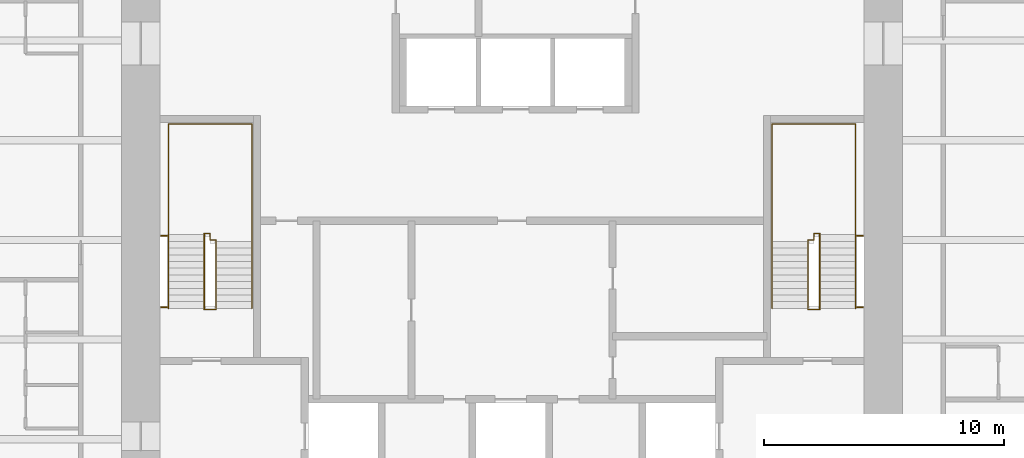
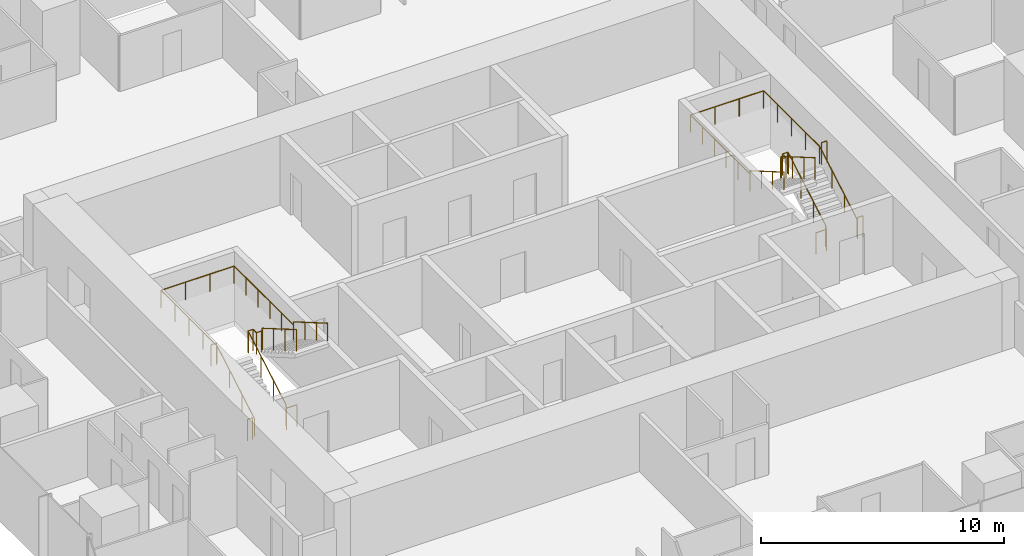
# One storey, part 12 of 12: 8 railings.
"""IFC4 building model written with IfcOpenShell, lengths in metres."""

from ifc_helpers import new_model, si_unit, direction, frame, origin, origin_2d, place, context, subcontext, project, spatial, circle, extrude, material, type_object, element, save


model = new_model("IFC4")

# Units and contexts
model_context = context("Model", 3, precision=1e-05, world=origin(), true_north=direction((0.0, 1.0)))
body_context = subcontext(model_context, "Body", "Model", "MODEL_VIEW")
ifc_project = project(units=[si_unit("LENGTHUNIT", "METRE"), si_unit("AREAUNIT", "SQUARE_METRE"), si_unit("VOLUMEUNIT", "CUBIC_METRE"), si_unit("PLANEANGLEUNIT", "RADIAN"), si_unit("MASSUNIT", "GRAM", prefix="KILO")], contexts=[model_context])

# Site, building, storey
site_placement = place(None, origin())
site = spatial("IfcSite", under=ifc_project, at=site_placement, CompositionType="ELEMENT")
building_placement = place(site_placement, origin())
building = spatial("IfcBuilding", under=site, at=building_placement, Name="Khuree Lantern Residences", CompositionType="ELEMENT")
storey_placement = place(building_placement, frame((0.0, 0.0, 222.0)))
storey = spatial("IfcBuildingStorey", under=building, at=storey_placement, Name="L55", CompositionType="ELEMENT", Elevation=222.0)

# Railings
ifc_material = material(Name="Steel S355", Category="steel")
railing_type_1 = type_object("IfcRailingType", Name="STAIR GUARD G1 1100", PredefinedType="GUARDRAIL", material=ifc_material)
railing_1_placement = place(storey_placement, frame((-12.35009765625, -2.909912109375, 0.0)))
element("IfcRailing", 1, at=railing_1_placement, inside=storey, type_object=railing_type_1, Name="Stair ST1 guard", PredefinedType="GUARDRAIL", context=body_context, shape_type="SweptSolid", body=[
    extrude(circle(Radius=0.02392578125, at=origin_2d()), frame((0.0, 0.0, 1.076171875), z_axis=(-1.0, 0.0, 0.0), x_axis=(0.0, -1.0, 0.0)), (0.0, 0.0, 1.0), 0.5),
    extrude(circle(Radius=0.02392578125, at=origin_2d()), frame((-0.5, 0.0, 1.076171875), z_axis=(0.0, 0.292073035251, 0.95639601739), x_axis=(-1.0, 0.0, 0.0)), (0.0, 0.0, 1.0), 0.17041015625),
    extrude(circle(Radius=0.02392578125, at=origin_2d()), frame((-0.5, 0.0498046875, 1.2392578125), z_axis=(0.0, 0.864176135923, 0.503189433615), x_axis=(-1.0, 0.0, 0.0)), (0.0, 0.0, 1.0), 3.564208984375),
    extrude(circle(Radius=0.02392578125, at=origin_2d()), frame((-0.5, 3.1298828125, 3.03271484375), z_axis=(0.0, 1.0, 0.0), x_axis=(-1.0, 0.0, 0.0)), (0.0, 0.0, 1.0), 0.050048828125),
    extrude(circle(Radius=0.02392578125, at=origin_2d()), frame((-0.5, 3.179931640625, 3.03271484375), z_axis=(1.0, 0.0, 0.0), x_axis=(0.0, 1.0, 0.0)), (0.0, 0.0, 1.0), 0.25),
    extrude(circle(Radius=0.02392578125, at=origin_2d()), frame((-0.25, 3.179931640625, 3.03271484375), z_axis=(0.0, -1.0, 0.0), x_axis=(1.0, 0.0, 0.0)), (0.0, 0.0, 1.0), 0.280029296875),
    extrude(circle(Radius=0.02392578125, at=origin_2d()), frame((-0.25, 2.89990234375, 3.03271484375), z_axis=(1.0, 0.0, 0.0), x_axis=(0.0, 1.0, 0.0)), (0.0, 0.0, 1.0), 0.25),
    extrude(circle(Radius=0.02392578125, at=origin_2d()), frame((0.0, 2.89990234375, 3.03271484375), z_axis=(0.0, -0.293381807449, 0.955995353053), x_axis=(1.0, 0.0, 0.0)), (0.0, 0.0, 1.0), 0.170654296875),
    extrude(circle(Radius=0.02392578125, at=origin_2d()), frame((0.0, 2.849853515625, 3.19580078125), z_axis=(0.0, -0.864180358799, 0.503182181189), x_axis=(1.0, 0.0, 0.0)), (0.0, 0.0, 1.0), 3.240234375),
    extrude(circle(Radius=0.02099609375, at=origin_2d()), origin(), (0.0, 0.0, 1.0), 1.052001953125),
    extrude(circle(Radius=0.02099609375, at=origin_2d()), frame((-0.5, 0.0, 0.0)), (0.0, 0.0, 1.0), 1.052001953125),
    extrude(circle(Radius=0.02099609375, at=origin_2d()), frame((-0.5, 0.0498046875, 0.1630859375)), (0.0, 0.0, 1.0), 1.052001953125),
    extrude(circle(Radius=0.02099609375, at=origin_2d()), frame((-0.5, 1.076416015625, 0.760986328125)), (0.0, 0.0, 1.0), 1.052001953125),
    extrude(circle(Radius=0.02099609375, at=origin_2d()), frame((-0.5, 2.103271484375, 1.358642578125)), (0.0, 0.0, 1.0), 1.052001953125),
    extrude(circle(Radius=0.02099609375, at=origin_2d()), frame((-0.5, 3.1298828125, 1.95654296875)), (0.0, 0.0, 1.0), 1.052001953125),
    extrude(circle(Radius=0.02099609375, at=origin_2d()), frame((-0.5, 3.179931640625, 1.95654296875)), (0.0, 0.0, 1.0), 1.052001953125),
    extrude(circle(Radius=0.02099609375, at=origin_2d()), frame((-0.25, 3.179931640625, 1.95654296875)), (0.0, 0.0, 1.0), 1.052001953125),
    extrude(circle(Radius=0.02099609375, at=origin_2d()), frame((-0.25, 2.89990234375, 1.95654296875)), (0.0, 0.0, 1.0), 1.052001953125),
    extrude(circle(Radius=0.02099609375, at=origin_2d()), frame((0.0, 2.89990234375, 1.95654296875)), (0.0, 0.0, 1.0), 1.052001953125),
    extrude(circle(Radius=0.02099609375, at=origin_2d()), frame((0.0, 2.849853515625, 2.11962890625)), (0.0, 0.0, 1.0), 1.052001953125),
    extrude(circle(Radius=0.02099609375, at=origin_2d()), frame((0.0, 1.91650390625, 2.6630859375)), (0.0, 0.0, 1.0), 1.052001953125),
    extrude(circle(Radius=0.02099609375, at=origin_2d()), frame((0.0, 0.983154296875, 3.20654296875)), (0.0, 0.0, 1.0), 1.052001953125),
    extrude(circle(Radius=0.02099609375, at=origin_2d()), frame((0.0, 0.0498046875, 3.75)), (0.0, 0.0, 1.0), 1.052001953125),
])
for number, where, name in (
    (2, (-14.64990234375, -2.81005859375, 0.0), "Stair ST1 landing slot guard"),
    (3, (-14.64990234375, 0.169921875, 1.95654296875), "Stair ST1 landing slot guard"),
):
    element("IfcRailing", number, at=place(storey_placement, frame(where)), inside=storey, type_object=railing_type_1, Name=name, PredefinedType="GUARDRAIL", context=body_context, shape_type="SweptSolid", body=[
        extrude(circle(Radius=0.02392578125, at=origin_2d()), frame((0.0, 0.0, 1.076171875), z_axis=(1.0, 0.0, 0.0), x_axis=(0.0, 1.0, 0.0)), (0.0, 0.0, 1.0), 0.25),
        extrude(circle(Radius=0.02099609375, at=origin_2d()), origin(), (0.0, 0.0, 1.0), 1.052001953125),
        extrude(circle(Radius=0.02099609375, at=origin_2d()), frame((0.25, 0.0, 0.0)), (0.0, 0.0, 1.0), 1.052001953125),
    ])
railing_2_placement = place(storey_placement, frame((12.35009765625, -2.909912109375, 0.0)))
element("IfcRailing", 4, at=railing_2_placement, inside=storey, type_object=railing_type_1, Name="Stair ST2 guard", PredefinedType="GUARDRAIL", context=body_context, shape_type="SweptSolid", body=[
    extrude(circle(Radius=0.02392578125, at=origin_2d()), frame((0.0, 0.0, 1.076171875), z_axis=(1.0, 0.0, 0.0), x_axis=(0.0, 1.0, 0.0)), (0.0, 0.0, 1.0), 0.5),
    extrude(circle(Radius=0.02392578125, at=origin_2d()), frame((0.5, 0.0, 1.076171875), z_axis=(0.0, 0.292073035251, 0.95639601739), x_axis=(-1.0, 0.0, 0.0)), (0.0, 0.0, 1.0), 0.17041015625),
    extrude(circle(Radius=0.02392578125, at=origin_2d()), frame((0.5, 0.0498046875, 1.2392578125), z_axis=(0.0, 0.864176135923, 0.503189433615), x_axis=(-1.0, 0.0, 0.0)), (0.0, 0.0, 1.0), 3.564208984375),
    extrude(circle(Radius=0.02392578125, at=origin_2d()), frame((0.5, 3.1298828125, 3.03271484375), z_axis=(0.0, 1.0, 0.0), x_axis=(-1.0, 0.0, 0.0)), (0.0, 0.0, 1.0), 0.050048828125),
    extrude(circle(Radius=0.02392578125, at=origin_2d()), frame((0.5, 3.179931640625, 3.03271484375), z_axis=(-1.0, 0.0, 0.0), x_axis=(0.0, -1.0, 0.0)), (0.0, 0.0, 1.0), 0.25),
    extrude(circle(Radius=0.02392578125, at=origin_2d()), frame((0.25, 3.179931640625, 3.03271484375), z_axis=(0.0, -1.0, 0.0), x_axis=(1.0, 0.0, 0.0)), (0.0, 0.0, 1.0), 0.280029296875),
    extrude(circle(Radius=0.02392578125, at=origin_2d()), frame((0.25, 2.89990234375, 3.03271484375), z_axis=(-1.0, 0.0, 0.0), x_axis=(0.0, -1.0, 0.0)), (0.0, 0.0, 1.0), 0.25),
    extrude(circle(Radius=0.02392578125, at=origin_2d()), frame((0.0, 2.89990234375, 3.03271484375), z_axis=(0.0, -0.293381807449, 0.955995353053), x_axis=(1.0, 0.0, 0.0)), (0.0, 0.0, 1.0), 0.170654296875),
    extrude(circle(Radius=0.02392578125, at=origin_2d()), frame((0.0, 2.849853515625, 3.19580078125), z_axis=(0.0, -0.864180358799, 0.503182181189), x_axis=(1.0, 0.0, 0.0)), (0.0, 0.0, 1.0), 3.240234375),
    extrude(circle(Radius=0.02099609375, at=origin_2d()), origin(), (0.0, 0.0, 1.0), 1.052001953125),
    extrude(circle(Radius=0.02099609375, at=origin_2d()), frame((0.5, 0.0, 0.0)), (0.0, 0.0, 1.0), 1.052001953125),
    extrude(circle(Radius=0.02099609375, at=origin_2d()), frame((0.5, 0.0498046875, 0.1630859375)), (0.0, 0.0, 1.0), 1.052001953125),
    extrude(circle(Radius=0.02099609375, at=origin_2d()), frame((0.5, 1.076416015625, 0.760986328125)), (0.0, 0.0, 1.0), 1.052001953125),
    extrude(circle(Radius=0.02099609375, at=origin_2d()), frame((0.5, 2.103271484375, 1.358642578125)), (0.0, 0.0, 1.0), 1.052001953125),
    extrude(circle(Radius=0.02099609375, at=origin_2d()), frame((0.5, 3.1298828125, 1.95654296875)), (0.0, 0.0, 1.0), 1.052001953125),
    extrude(circle(Radius=0.02099609375, at=origin_2d()), frame((0.5, 3.179931640625, 1.95654296875)), (0.0, 0.0, 1.0), 1.052001953125),
    extrude(circle(Radius=0.02099609375, at=origin_2d()), frame((0.25, 3.179931640625, 1.95654296875)), (0.0, 0.0, 1.0), 1.052001953125),
    extrude(circle(Radius=0.02099609375, at=origin_2d()), frame((0.25, 2.89990234375, 1.95654296875)), (0.0, 0.0, 1.0), 1.052001953125),
    extrude(circle(Radius=0.02099609375, at=origin_2d()), frame((0.0, 2.89990234375, 1.95654296875)), (0.0, 0.0, 1.0), 1.052001953125),
    extrude(circle(Radius=0.02099609375, at=origin_2d()), frame((0.0, 2.849853515625, 2.11962890625)), (0.0, 0.0, 1.0), 1.052001953125),
    extrude(circle(Radius=0.02099609375, at=origin_2d()), frame((0.0, 1.91650390625, 2.6630859375)), (0.0, 0.0, 1.0), 1.052001953125),
    extrude(circle(Radius=0.02099609375, at=origin_2d()), frame((0.0, 0.983154296875, 3.20654296875)), (0.0, 0.0, 1.0), 1.052001953125),
    extrude(circle(Radius=0.02099609375, at=origin_2d()), frame((0.0, 0.0498046875, 3.75)), (0.0, 0.0, 1.0), 1.052001953125),
])
for number, where, name in (
    (5, (14.64990234375, -2.81005859375, 0.0), "Stair ST2 landing slot guard"),
    (6, (14.64990234375, 0.169921875, 1.95654296875), "Stair ST2 landing slot guard"),
):
    element("IfcRailing", number, at=place(storey_placement, frame(where)), inside=storey, type_object=railing_type_1, Name=name, PredefinedType="GUARDRAIL", context=body_context, shape_type="SweptSolid", body=[
        extrude(circle(Radius=0.02392578125, at=origin_2d()), frame((0.0, 0.0, 1.076171875), z_axis=(-1.0, 0.0, 0.0), x_axis=(0.0, -1.0, 0.0)), (0.0, 0.0, 1.0), 0.25),
        extrude(circle(Radius=0.02099609375, at=origin_2d()), origin(), (0.0, 0.0, 1.0), 1.052001953125),
        extrude(circle(Radius=0.02099609375, at=origin_2d()), frame((-0.25, 0.0, 0.0)), (0.0, 0.0, 1.0), 1.052001953125),
    ])
railing_type_2 = type_object("IfcRailingType", Name="STAIR HANDRAIL H1 900", PredefinedType="HANDRAIL", material=ifc_material)
railing_3_placement = place(storey_placement, frame((-14.340087890625, -2.860107421875, 0.1630859375)))
element("IfcRailing", 7, at=railing_3_placement, inside=storey, type_object=railing_type_2, Name="Stair ST1 handrail", PredefinedType="HANDRAIL", context=body_context, shape_type="SweptSolid", body=[
    extrude(circle(Radius=0.02392578125, at=origin_2d()), frame((0.0, 0.0, 0.8759765625), z_axis=(0.0, 0.864176135923, 0.503189433615), x_axis=(-1.0, 0.0, 0.0)), (0.0, 0.0, 1.0), 3.564208984375),
    extrude(circle(Radius=0.02392578125, at=origin_2d()), frame((0.0, 3.080078125, 2.66943359375), z_axis=(0.0, 1.0, 0.0), x_axis=(-1.0, 0.0, 0.0)), (0.0, 0.0, 1.0), 4.6201171875),
    extrude(circle(Radius=0.02392578125, at=origin_2d()), frame((0.0, 7.7001953125, 2.66943359375), z_axis=(1.0, 0.0, 0.0), x_axis=(0.0, 1.0, 0.0)), (0.0, 0.0, 1.0), 3.47998046875),
    extrude(circle(Radius=0.02392578125, at=origin_2d()), frame((3.47998046875, 7.7001953125, 2.66943359375), z_axis=(0.0, -1.0, 0.0), x_axis=(1.0, 0.0, 0.0)), (0.0, 0.0, 1.0), 4.900146484375),
    extrude(circle(Radius=0.02392578125, at=origin_2d()), frame((3.47998046875, 2.800048828125, 2.66943359375), z_axis=(0.0, 0.0, 1.0), x_axis=(1.0, 0.0, 0.0)), (0.0, 0.0, 1.0), 0.1630859375),
    extrude(circle(Radius=0.02392578125, at=origin_2d()), frame((3.47998046875, 2.800048828125, 2.83251953125), z_axis=(0.0, -0.864180358799, 0.503182181189), x_axis=(1.0, 0.0, 0.0)), (0.0, 0.0, 1.0), 3.240234375),
    extrude(circle(Radius=0.02099609375, at=origin_2d()), origin(), (0.0, 0.0, 1.0), 0.851806640625),
    extrude(circle(Radius=0.02099609375, at=origin_2d()), frame((0.0, 1.026611328125, 0.597900390625)), (0.0, 0.0, 1.0), 0.851806640625),
    extrude(circle(Radius=0.02099609375, at=origin_2d()), frame((0.0, 2.053466796875, 1.195556640625)), (0.0, 0.0, 1.0), 0.851806640625),
    extrude(circle(Radius=0.02099609375, at=origin_2d()), frame((0.0, 3.080078125, 1.79345703125)), (0.0, 0.0, 1.0), 0.851806640625),
    extrude(circle(Radius=0.02099609375, at=origin_2d()), frame((0.0, 4.235107421875, 1.79345703125)), (0.0, 0.0, 1.0), 0.851806640625),
    extrude(circle(Radius=0.02099609375, at=origin_2d()), frame((0.0, 5.39013671875, 1.79345703125)), (0.0, 0.0, 1.0), 0.851806640625),
    extrude(circle(Radius=0.02099609375, at=origin_2d()), frame((0.0, 6.545166015625, 1.79345703125)), (0.0, 0.0, 1.0), 0.851806640625),
    extrude(circle(Radius=0.02099609375, at=origin_2d()), frame((0.0, 7.7001953125, 1.79345703125)), (0.0, 0.0, 1.0), 0.851806640625),
    extrude(circle(Radius=0.02099609375, at=origin_2d()), frame((1.159912109375, 7.7001953125, 1.79345703125)), (0.0, 0.0, 1.0), 0.851806640625),
    extrude(circle(Radius=0.02099609375, at=origin_2d()), frame((2.320068359375, 7.7001953125, 1.79345703125)), (0.0, 0.0, 1.0), 0.851806640625),
    extrude(circle(Radius=0.02099609375, at=origin_2d()), frame((3.47998046875, 7.7001953125, 1.79345703125)), (0.0, 0.0, 1.0), 0.851806640625),
    extrude(circle(Radius=0.02099609375, at=origin_2d()), frame((3.47998046875, 6.72021484375, 1.79345703125)), (0.0, 0.0, 1.0), 0.851806640625),
    extrude(circle(Radius=0.02099609375, at=origin_2d()), frame((3.47998046875, 5.740234375, 1.79345703125)), (0.0, 0.0, 1.0), 0.851806640625),
    extrude(circle(Radius=0.02099609375, at=origin_2d()), frame((3.47998046875, 4.760009765625, 1.79345703125)), (0.0, 0.0, 1.0), 0.851806640625),
    extrude(circle(Radius=0.02099609375, at=origin_2d()), frame((3.47998046875, 3.780029296875, 1.79345703125)), (0.0, 0.0, 1.0), 0.851806640625),
    extrude(circle(Radius=0.02099609375, at=origin_2d()), frame((3.47998046875, 2.800048828125, 1.79345703125)), (0.0, 0.0, 1.0), 0.851806640625),
    extrude(circle(Radius=0.02099609375, at=origin_2d()), frame((3.47998046875, 2.800048828125, 1.95654296875)), (0.0, 0.0, 1.0), 0.851806640625),
    extrude(circle(Radius=0.02099609375, at=origin_2d()), frame((3.47998046875, 1.86669921875, 2.5)), (0.0, 0.0, 1.0), 0.851806640625),
    extrude(circle(Radius=0.02099609375, at=origin_2d()), frame((3.47998046875, 0.933349609375, 3.04345703125)), (0.0, 0.0, 1.0), 0.851806640625),
    extrude(circle(Radius=0.02099609375, at=origin_2d()), frame((3.47998046875, 0.0, 3.5869140625)), (0.0, 0.0, 1.0), 0.851806640625),
])
railing_4_placement = place(storey_placement, frame((14.340087890625, -2.860107421875, 0.1630859375)))
element("IfcRailing", 8, at=railing_4_placement, inside=storey, type_object=railing_type_2, Name="Stair ST2 handrail", PredefinedType="HANDRAIL", context=body_context, shape_type="SweptSolid", body=[
    extrude(circle(Radius=0.02392578125, at=origin_2d()), frame((0.0, 0.0, 0.8759765625), z_axis=(0.0, 0.864176135923, 0.503189433615), x_axis=(-1.0, 0.0, 0.0)), (0.0, 0.0, 1.0), 3.564208984375),
    extrude(circle(Radius=0.02392578125, at=origin_2d()), frame((0.0, 3.080078125, 2.66943359375), z_axis=(0.0, 1.0, 0.0), x_axis=(-1.0, 0.0, 0.0)), (0.0, 0.0, 1.0), 4.6201171875),
    extrude(circle(Radius=0.02392578125, at=origin_2d()), frame((0.0, 7.7001953125, 2.66943359375), z_axis=(-1.0, 0.0, 0.0), x_axis=(0.0, -1.0, 0.0)), (0.0, 0.0, 1.0), 3.47998046875),
    extrude(circle(Radius=0.02392578125, at=origin_2d()), frame((-3.47998046875, 7.7001953125, 2.66943359375), z_axis=(0.0, -1.0, 0.0), x_axis=(1.0, 0.0, 0.0)), (0.0, 0.0, 1.0), 4.900146484375),
    extrude(circle(Radius=0.02392578125, at=origin_2d()), frame((-3.47998046875, 2.800048828125, 2.66943359375), z_axis=(0.0, 0.0, 1.0), x_axis=(1.0, 0.0, 0.0)), (0.0, 0.0, 1.0), 0.1630859375),
    extrude(circle(Radius=0.02392578125, at=origin_2d()), frame((-3.47998046875, 2.800048828125, 2.83251953125), z_axis=(0.0, -0.864180358799, 0.503182181189), x_axis=(1.0, 0.0, 0.0)), (0.0, 0.0, 1.0), 3.240234375),
    extrude(circle(Radius=0.02099609375, at=origin_2d()), origin(), (0.0, 0.0, 1.0), 0.851806640625),
    extrude(circle(Radius=0.02099609375, at=origin_2d()), frame((0.0, 1.026611328125, 0.597900390625)), (0.0, 0.0, 1.0), 0.851806640625),
    extrude(circle(Radius=0.02099609375, at=origin_2d()), frame((0.0, 2.053466796875, 1.195556640625)), (0.0, 0.0, 1.0), 0.851806640625),
    extrude(circle(Radius=0.02099609375, at=origin_2d()), frame((0.0, 3.080078125, 1.79345703125)), (0.0, 0.0, 1.0), 0.851806640625),
    extrude(circle(Radius=0.02099609375, at=origin_2d()), frame((0.0, 4.235107421875, 1.79345703125)), (0.0, 0.0, 1.0), 0.851806640625),
    extrude(circle(Radius=0.02099609375, at=origin_2d()), frame((0.0, 5.39013671875, 1.79345703125)), (0.0, 0.0, 1.0), 0.851806640625),
    extrude(circle(Radius=0.02099609375, at=origin_2d()), frame((0.0, 6.545166015625, 1.79345703125)), (0.0, 0.0, 1.0), 0.851806640625),
    extrude(circle(Radius=0.02099609375, at=origin_2d()), frame((0.0, 7.7001953125, 1.79345703125)), (0.0, 0.0, 1.0), 0.851806640625),
    extrude(circle(Radius=0.02099609375, at=origin_2d()), frame((-1.159912109375, 7.7001953125, 1.79345703125)), (0.0, 0.0, 1.0), 0.851806640625),
    extrude(circle(Radius=0.02099609375, at=origin_2d()), frame((-2.320068359375, 7.7001953125, 1.79345703125)), (0.0, 0.0, 1.0), 0.851806640625),
    extrude(circle(Radius=0.02099609375, at=origin_2d()), frame((-3.47998046875, 7.7001953125, 1.79345703125)), (0.0, 0.0, 1.0), 0.851806640625),
    extrude(circle(Radius=0.02099609375, at=origin_2d()), frame((-3.47998046875, 6.72021484375, 1.79345703125)), (0.0, 0.0, 1.0), 0.851806640625),
    extrude(circle(Radius=0.02099609375, at=origin_2d()), frame((-3.47998046875, 5.740234375, 1.79345703125)), (0.0, 0.0, 1.0), 0.851806640625),
    extrude(circle(Radius=0.02099609375, at=origin_2d()), frame((-3.47998046875, 4.760009765625, 1.79345703125)), (0.0, 0.0, 1.0), 0.851806640625),
    extrude(circle(Radius=0.02099609375, at=origin_2d()), frame((-3.47998046875, 3.780029296875, 1.79345703125)), (0.0, 0.0, 1.0), 0.851806640625),
    extrude(circle(Radius=0.02099609375, at=origin_2d()), frame((-3.47998046875, 2.800048828125, 1.79345703125)), (0.0, 0.0, 1.0), 0.851806640625),
    extrude(circle(Radius=0.02099609375, at=origin_2d()), frame((-3.47998046875, 2.800048828125, 1.95654296875)), (0.0, 0.0, 1.0), 0.851806640625),
    extrude(circle(Radius=0.02099609375, at=origin_2d()), frame((-3.47998046875, 1.86669921875, 2.5)), (0.0, 0.0, 1.0), 0.851806640625),
    extrude(circle(Radius=0.02099609375, at=origin_2d()), frame((-3.47998046875, 0.933349609375, 3.04345703125)), (0.0, 0.0, 1.0), 0.851806640625),
    extrude(circle(Radius=0.02099609375, at=origin_2d()), frame((-3.47998046875, 0.0, 3.5869140625)), (0.0, 0.0, 1.0), 0.851806640625),
])

save(model, "model.ifc")
